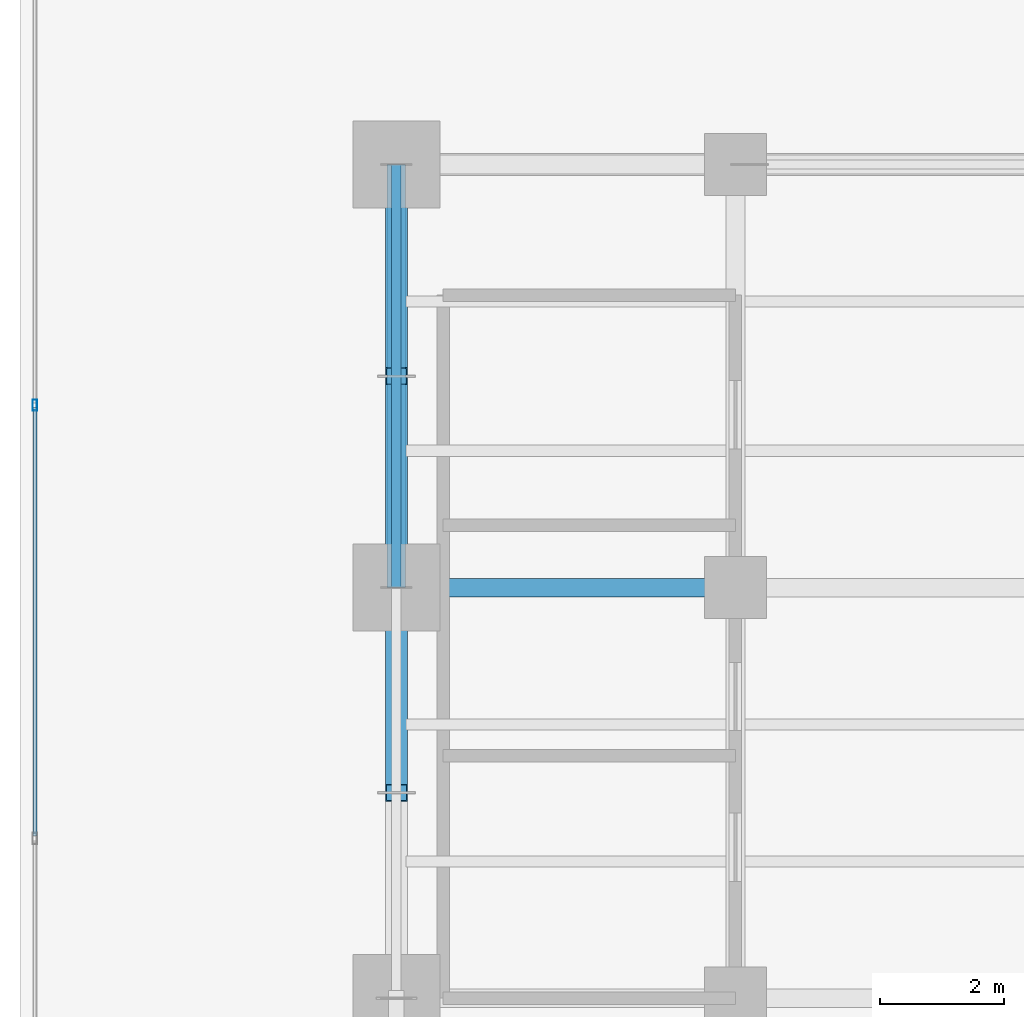
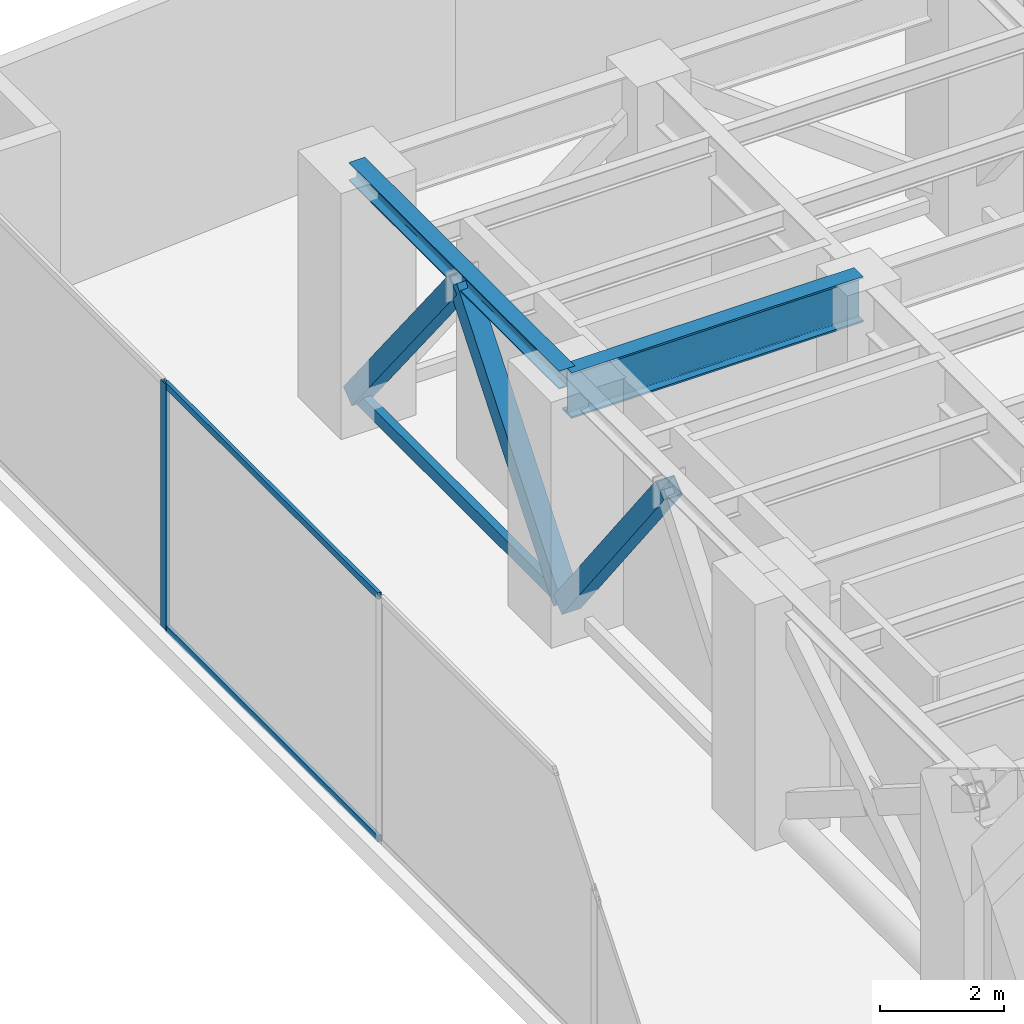
# One storey, part 20 of 37: 7 members, 2 beams, 1 element without a shape of its own.
"""IFC4 building model written with IfcOpenShell, lengths in metres."""

from ifc_helpers import new_model, si_unit, direction, frame, origin, origin_with_axes, origin_2d, place, context, subcontext, project, spatial, hollow_rectangle, i_section, extrude, source, transform, mapped, material, layer, layer_set, material_profile, profile_set, type_object, element, aggregate, save


model = new_model("IFC4")

# Units and contexts
model_context = context("Model", 3, precision=1e-05, world=origin(), true_north=direction((0.0, 1.0)))
body_context = subcontext(model_context, "Body", "Model", "MODEL_VIEW")
ifc_project = project(units=[si_unit("LENGTHUNIT", "METRE"), si_unit("AREAUNIT", "SQUARE_METRE"), si_unit("VOLUMEUNIT", "CUBIC_METRE"), si_unit("PLANEANGLEUNIT", "RADIAN"), si_unit("MASSUNIT", "GRAM", prefix="KILO")], contexts=[model_context])

# Site, building, storey
site_placement = place(None, origin())
site = spatial("IfcSite", under=ifc_project, at=site_placement, CompositionType="ELEMENT")
building_placement = place(site_placement, origin())
building = spatial("IfcBuilding", under=site, at=building_placement, Name="Kolvaren Waterfront Exchange", CompositionType="ELEMENT")
storey_placement = place(building_placement, frame((0.0, 0.0, 141.10009765625)))
storey = spatial("IfcBuildingStorey", under=building, at=storey_placement, Name="L36", CompositionType="ELEMENT", Elevation=141.10009765625)

# Beams
ifc_material_1 = material(Name="Steel S355", Category="steel")
ifc_material_profile_1 = material_profile(ifc_material_1, i_section(OverallWidth=0.300048828125, OverallDepth=0.360107421875, WebThickness=0.012451171875, FlangeThickness=0.0224609375, FilletRadius=0.027099609375, at=origin_2d()), Name="HEB360")
ifc_profile_set_1 = profile_set([ifc_material_profile_1], Name="Steel S355")
beam_type_1 = type_object("IfcBeamType", Name="STR-BM-HEB360", PredefinedType="SPANDREL", material=ifc_profile_set_1)
beam_1_placement = place(storey_placement, frame((7.449951171875, 37.800048828125, 4.679931640625), z_axis=(0.0, 1.0, 0.0), x_axis=(-1.0, 0.0, 0.0)))
element("IfcBeam", 1, at=beam_1_placement, inside=storey, type_object=beam_type_1, Name="L36 north-arm edge beam 3", PredefinedType="SPANDREL", context=body_context, shape_type="SweptSolid", body=[
    extrude(i_section(OverallWidth=0.300048828125, OverallDepth=0.360107421875, WebThickness=0.012451171875, FlangeThickness=0.0224609375, FilletRadius=0.027099609375, at=origin_2d()), origin(), (0.0, 0.0, 1.0), 6.800048828125),
])
ifc_material_profile_2 = material_profile(ifc_material_1, i_section(OverallWidth=0.300048828125, OverallDepth=0.89990234375, WebThickness=0.0185546875, FlangeThickness=0.034912109375, FilletRadius=0.030029296875, at=origin_2d()), Name="HEB900")
ifc_profile_set_2 = profile_set([ifc_material_profile_2], Name="Steel S355")
beam_type_2 = type_object("IfcBeamType", Name="STR-BM-HEB900", PredefinedType="BEAM", material=ifc_profile_set_2)
beam_2_placement = place(storey_placement, frame((7.449951171875, 37.800048828125, 4.409912109375), z_axis=(1.0, 0.0, 0.0), x_axis=(0.0, 1.0, 0.0)))
element("IfcBeam", 2, at=beam_2_placement, inside=storey, type_object=beam_type_2, Name="L36 north-arm girder 3A", PredefinedType="BEAM", context=body_context, shape_type="SweptSolid", body=[
    extrude(i_section(OverallWidth=0.300048828125, OverallDepth=0.89990234375, WebThickness=0.0185546875, FlangeThickness=0.034912109375, FilletRadius=0.030029296875, at=origin_2d()), origin(), (0.0, 0.0, 1.0), 5.449951171875),
])

# Members
ifc_material_2 = material(Name="Steel S460", Category="steel")
ifc_material_profile_3 = material_profile(ifc_material_2, hollow_rectangle(XDim=0.14990234375, YDim=0.25, WallThickness=0.010009765625, at=origin_2d()), Name="RHS250x150x10")
ifc_profile_set_3 = profile_set([ifc_material_profile_3], Name="Steel S460")
member_type_1 = type_object("IfcMemberType", Name="STR-BR-RHS250", PredefinedType="CHORD", material=ifc_profile_set_3)
member_1_placement = place(storey_placement, frame((7.449951171875, 37.800048828125, 0.25), z_axis=(0.0, 1.0, 0.0), x_axis=(-1.0, 0.0, 0.0)))
element("IfcMember", 3, at=member_1_placement, inside=storey, type_object=member_type_1, Name="L36 belt-truss bottom chord BT5", PredefinedType="CHORD", context=body_context, shape_type="SweptSolid", body=[
    extrude(hollow_rectangle(XDim=0.14990234375, YDim=0.25, WallThickness=0.010009765625, at=origin_2d()), origin(), (0.0, 0.0, 1.0), 6.800048828125),
])
ifc_material_profile_4 = material_profile(ifc_material_2, hollow_rectangle(XDim=0.35009765625, YDim=0.35009765625, WallThickness=0.01611328125, at=origin_2d()), Name="SHS350x350x16")
ifc_profile_set_4 = profile_set([ifc_material_profile_4], Name="Steel S460")
member_type_2 = type_object("IfcMemberType", Name="STR-BR-SHS350", PredefinedType="BRACE", material=ifc_profile_set_4)
member_2_placement = place(storey_placement, frame((7.449951171875, 37.800048828125, 0.25), z_axis=(0.0, -0.612402527517, 0.790546105101), x_axis=(1.0, 0.0, 0.0)))
element("IfcMember", 4, at=member_2_placement, inside=storey, type_object=member_type_2, Name="L36 belt-truss chevron brace BT4R", PredefinedType="BRACE", context=body_context, shape_type="SweptSolid", body=[
    extrude(hollow_rectangle(XDim=0.35009765625, YDim=0.35009765625, WallThickness=0.01611328125, at=origin_2d()), origin(), (0.0, 0.0, 1.0), 5.388671875),
])
member_3_placement = place(storey_placement, frame((7.449951171875, 37.800048828125, 0.25), z_axis=(0.0, 0.62378784047, 0.781593711644), x_axis=(-1.0, 0.0, 0.0)))
element("IfcMember", 5, at=member_3_placement, inside=storey, type_object=member_type_2, Name="L36 belt-truss chevron brace BT5L", PredefinedType="BRACE", context=body_context, shape_type="SweptSolid", body=[
    extrude(hollow_rectangle(XDim=0.35009765625, YDim=0.35009765625, WallThickness=0.01611328125, at=origin_2d()), origin(), (0.0, 0.0, 1.0), 5.450439453125),
])
member_4_placement = place(storey_placement, frame((7.449951171875, 44.60009765625, 0.25), z_axis=(0.0, -0.623815202885, 0.78157187299), x_axis=(1.0, 0.0, 0.0)))
element("IfcMember", 6, at=member_4_placement, inside=storey, type_object=member_type_2, Name="L36 belt-truss chevron brace BT5R", PredefinedType="BRACE", context=body_context, shape_type="SweptSolid", body=[
    extrude(hollow_rectangle(XDim=0.35009765625, YDim=0.35009765625, WallThickness=0.01611328125, at=origin_2d()), origin(), (0.0, 0.0, 1.0), 5.45068359375),
])

# Curtain wall, members
ifc_material_3 = material(Name="Anodised dark bronze spandrel aluminium", Category="aluminium")
ifc_layer = layer(ifc_material_3, 0.219970703125, Name="Anodised dark bronze spandrel aluminium")
ifc_layer_set = layer_set([ifc_layer], Name="Anodised dark bronze spandrel aluminium")
curtain_wall_type = type_object("IfcCurtainWallType", Name="ARC-CW-SYS6", PredefinedType="USERDEFINED", material=ifc_layer_set)
curtain_wall_placement = place(storey_placement, origin())
curtain_wall = element("IfcCurtainWall", 7, at=curtain_wall_placement, inside=storey, type_object=curtain_wall_type, Name="L36 stick curtain wall CW6 (CW-L36-W)", ObjectType="STICK CURTAIN WALL", PredefinedType="USERDEFINED")
ifc_material_4 = material(Name="Anodised bronze aluminium 6063-T6", Category="aluminium")
ifc_material_profile_5 = material_profile(ifc_material_4, hollow_rectangle(XDim=0.074951171875, YDim=0.179931640625, WallThickness=0.00439453125, at=origin_2d()), Name="ALU-MUL-180x75x4.5")
ifc_profile_set_5 = profile_set([ifc_material_profile_5], Name="Anodised bronze aluminium 6063-T6")
member_type_3 = type_object("IfcMemberType", Name="ARC-CWM-180", PredefinedType="MULLION", material=ifc_profile_set_5)
shared_shape_1 = source(origin_with_axes(), body_context, "Body", "SweptSolid", [
    extrude(hollow_rectangle(XDim=0.074951171875, YDim=0.179931640625, WallThickness=0.00439453125, at=origin_2d()), origin(), (0.0, 0.0, 1.0), 4.85986328125),
])
member_5_placement = place(storey_placement, frame((1.639892578125, 40.7333984375, 0.0), z_axis=(0.0, 0.0, 1.0), x_axis=(-1.0, 0.0, 0.0)))
member_5 = element("IfcMember", 8, at=member_5_placement, type_object=member_type_3, Name="CW6 mullion 6", PredefinedType="MULLION", context=body_context, shape_type="MappedRepresentation", body=[
    mapped(shared_shape_1, transform((0.0, 0.0, 0.0), x_axis=(1.0, 0.0, 0.0), y_axis=(0.0, 1.0, 0.0), z_axis=(0.0, 0.0, 1.0), scale=1.0)),
])
ifc_material_profile_6 = material_profile(ifc_material_4, hollow_rectangle(XDim=0.06494140625, YDim=0.1298828125, WallThickness=0.00390625, at=origin_2d()), Name="ALU-TRN-130x65x4")
ifc_profile_set_6 = profile_set([ifc_material_profile_6], Name="Anodised bronze aluminium 6063-T6")
member_type_4 = type_object("IfcMemberType", Name="ARC-CWT-130", PredefinedType="USERDEFINED", material=ifc_profile_set_6)
shared_shape_2 = source(origin_with_axes(), body_context, "Body", "SweptSolid", [
    extrude(hollow_rectangle(XDim=0.06494140625, YDim=0.1298828125, WallThickness=0.00390625, at=origin_2d()), origin(), (0.0, 0.0, 1.0), 6.8916015625),
])
member_6_placement = place(storey_placement, frame((1.639892578125, 33.80419921875, 0.032470703125), z_axis=(0.0, 1.0, 0.0), x_axis=(-1.0, 0.0, 0.0)))
member_6 = element("IfcMember", 9, at=member_6_placement, type_object=member_type_4, Name="CW6 transom 5.1", ObjectType="TRANSOM", PredefinedType="USERDEFINED", context=body_context, shape_type="MappedRepresentation", body=[
    mapped(shared_shape_2, transform((0.0, 0.0, 0.0), x_axis=(1.0, 0.0, 0.0), y_axis=(0.0, 1.0, 0.0), z_axis=(0.0, 0.0, 1.0), scale=1.0)),
])
member_7_placement = place(storey_placement, frame((1.639892578125, 33.80419921875, 4.827392578125), z_axis=(0.0, 1.0, 0.0), x_axis=(-1.0, 0.0, 0.0)))
member_7 = element("IfcMember", 10, at=member_7_placement, type_object=member_type_4, Name="CW6 transom 5.2", ObjectType="TRANSOM", PredefinedType="USERDEFINED", context=body_context, shape_type="MappedRepresentation", body=[
    mapped(shared_shape_2, transform((0.0, 0.0, 0.0), x_axis=(1.0, 0.0, 0.0), y_axis=(0.0, 1.0, 0.0), z_axis=(0.0, 0.0, 1.0), scale=1.0)),
])
aggregate(curtain_wall, [member_5, member_6, member_7])

save(model, "model.ifc")
